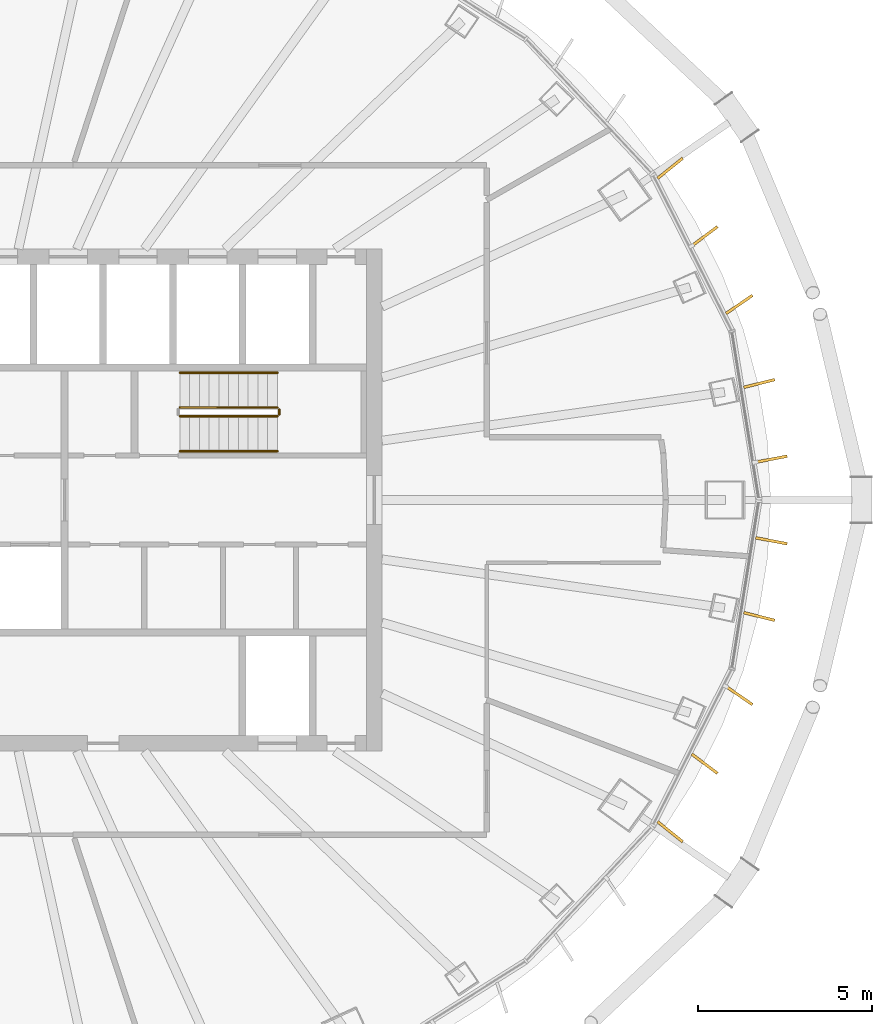
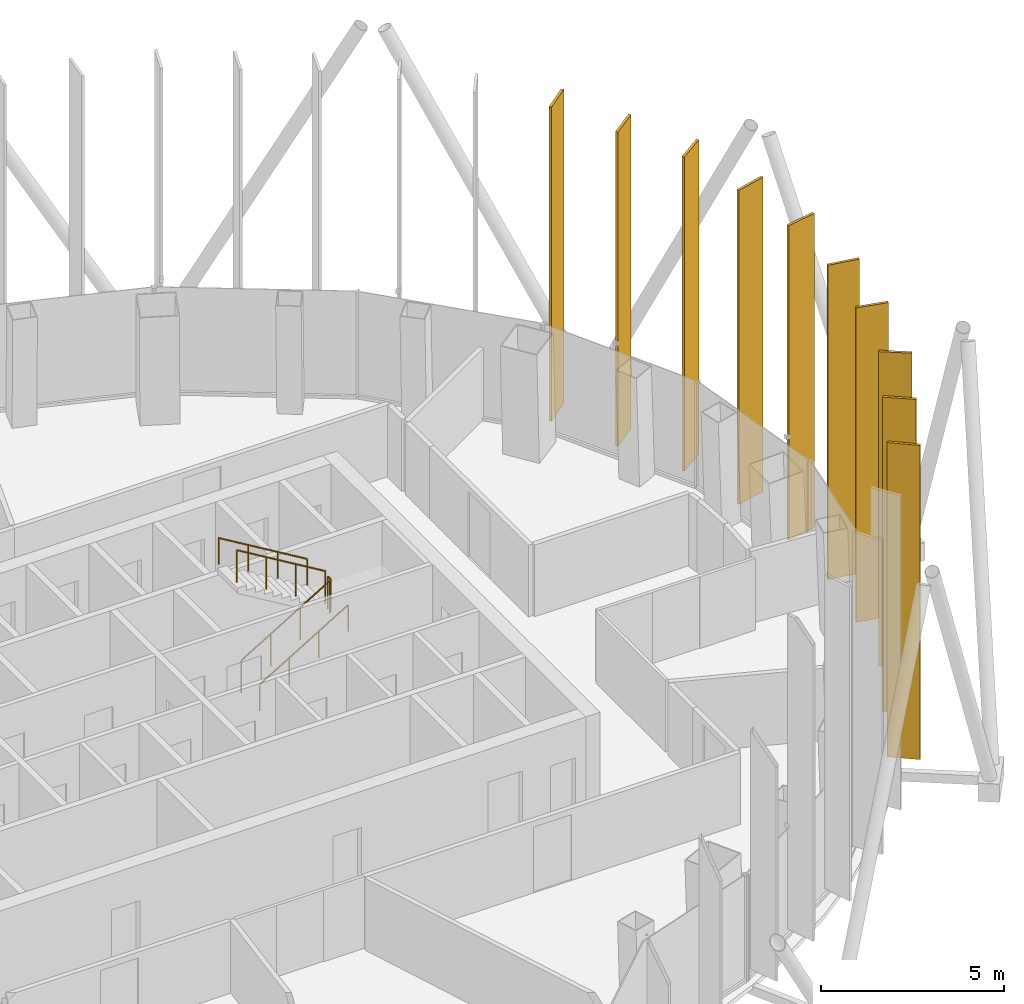
# One storey, part 16 of 17: 10 shading devices, 5 railings.
"""IFC4 building model written with IfcOpenShell, lengths in metres."""

import ifcopenshell
import ifcopenshell.guid

model = None  # the IFC model being written
_history = None  # IfcOwnerHistory: only IFC2X3 demands one
_inside = {}  # id of a spatial element -> (the spatial element, [elements in it])
_under = {}  # id of a project, library or spatial element -> (it, [spatial elements below it])
_declared = {}  # id of a project -> (the project, [libraries it declares])
_typed = {}  # id of a type object -> (the type object, [elements of that type])
_made_of = {}  # id of a material, layer set ... -> (it, [elements and type objects made of it])


def new_model(schema):
    """Start an empty IFC model of exactly this schema.

    Asked for "IFC4X3", IfcOpenShell would pick the latest addendum, in which some entities
    have other attributes; the version numbers below select the first issue.
    IFC2X3 requires an IfcOwnerHistory on every rooted entity: one is made here for all.
    """
    global model, _history
    if schema == "IFC4X3":
        model = ifcopenshell.file(schema_version=(4, 3, 0, 0))
    else:
        model = ifcopenshell.file(schema=schema)
    _inside.clear()
    _under.clear()
    _declared.clear()
    _typed.clear()
    _made_of.clear()
    _history = None
    if model.schema == "IFC2X3":
        org = make("IfcOrganization", Name="unknown")
        user = make(
            "IfcPersonAndOrganization",
            ThePerson=make("IfcPerson", FamilyName="unknown"),
            TheOrganization=org,
        )
        app = make(
            "IfcApplication",
            ApplicationDeveloper=org,
            Version="unknown",
            ApplicationFullName="unknown",
            ApplicationIdentifier="unknown",
        )
        _history = make(
            "IfcOwnerHistory",
            OwningUser=user,
            OwningApplication=app,
            ChangeAction="ADDED",
            CreationDate=0,
        )
    return model


def make(cls, **values):
    """One entity of the class cls with the attributes given. An attribute that is None is left unset."""
    return model.create_entity(
        cls, **{name: value for name, value in values.items() if value is not None}
    )


def rooted(cls, **values):
    """An entity with a GlobalId (a new one), such as an element, a storey or a relation."""
    return make(cls, GlobalId=ifcopenshell.guid.new(), OwnerHistory=_history, **values)


def si_unit(unit_type, name, prefix=None):
    """IfcSIUnit, for example si_unit("LENGTHUNIT", "METRE", prefix="MILLI")."""
    return make("IfcSIUnit", UnitType=unit_type, Prefix=prefix, Name=name)


def assignment(units):
    """IfcUnitAssignment: the units of a project."""
    return None if units is None else make("IfcUnitAssignment", Units=units)


def point(xyz):
    """IfcCartesianPoint."""
    return None if xyz is None else make("IfcCartesianPoint", Coordinates=xyz)


def direction(xyz):
    """IfcDirection."""
    return None if xyz is None else make("IfcDirection", DirectionRatios=xyz)


def frame(location, z_axis=None, x_axis=None):
    """IfcAxis2Placement3D, a coordinate frame: its origin and axes. An axis left out is left unset."""
    return make(
        "IfcAxis2Placement3D",
        Location=point(location),
        Axis=direction(z_axis),
        RefDirection=direction(x_axis),
    )


def frame_2d(location, x_axis=None):
    """IfcAxis2Placement2D, a coordinate frame in the plane: its origin and x axis."""
    return make(
        "IfcAxis2Placement2D", Location=point(location), RefDirection=direction(x_axis)
    )


def origin():
    """The frame at (0, 0, 0) with its axes left unset."""
    return frame((0.0, 0.0, 0.0))


def origin_2d():
    """The frame at (0, 0) in the plane with its x axis left unset."""
    return frame_2d((0.0, 0.0))


def place(relative_to, where):
    """IfcLocalPlacement: puts the frame where relative to a parent placement (None: the world)."""
    return make(
        "IfcLocalPlacement", PlacementRelTo=relative_to, RelativePlacement=where
    )


def context(
    kind, dimensions, precision=None, world=None, true_north=None, identifier=None
):
    """IfcGeometricRepresentationContext, for example the 3D "Model" context."""
    return make(
        "IfcGeometricRepresentationContext",
        ContextIdentifier=identifier,
        ContextType=kind,
        CoordinateSpaceDimension=dimensions,
        Precision=precision,
        WorldCoordinateSystem=world,
        TrueNorth=true_north,
    )


def subcontext(parent, identifier, kind, view, scale=None):
    """IfcGeometricRepresentationSubContext, for example "Body" below "Model"."""
    return make(
        "IfcGeometricRepresentationSubContext",
        ContextIdentifier=identifier,
        ContextType=kind,
        ParentContext=parent,
        TargetScale=scale,
        TargetView=view,
    )


def project(units=None, contexts=None):
    """IfcProject with its units and contexts."""
    return rooted(
        "IfcProject",
        Name="project",
        RepresentationContexts=contexts,
        UnitsInContext=assignment(units),
    )


def spatial(cls, under=None, at=None, **own):
    """A site, building, storey or space (cls), placed at a placement, below another one or the project."""
    s = rooted(cls, ObjectPlacement=at, **own)
    if under is not None:
        _under.setdefault(under.id(), (under, []))[1].append(s)
    return s


def profile(cls, at=None, kind="AREA", **sizes):
    """A parametric profile (cls). Its sizes go by their IFC names, for example OverallWidth=200.0."""
    return make(cls, ProfileType=kind, Position=at, **sizes)


def rectangle(**sizes):
    """IfcRectangleProfileDef."""
    return profile("IfcRectangleProfileDef", **sizes)


def circle(**sizes):
    """IfcCircleProfileDef."""
    return profile("IfcCircleProfileDef", **sizes)


def extrude(swept, where, along, depth):
    """IfcExtrudedAreaSolid: the profile swept, set in the frame where, extruded along a direction by depth."""
    return make(
        "IfcExtrudedAreaSolid",
        SweptArea=swept,
        Position=where,
        ExtrudedDirection=direction(along),
        Depth=depth,
    )


def shape(context_of_items, identifier, shape_type, items):
    """IfcShapeRepresentation: the items that make up one representation, for example the "Body"."""
    return make(
        "IfcShapeRepresentation",
        ContextOfItems=context_of_items,
        RepresentationIdentifier=identifier,
        RepresentationType=shape_type,
        Items=items,
    )


def material(Name=None, Category=None):
    """IfcMaterial."""
    return make("IfcMaterial", Name=Name, Category=Category)


def layer(
    of_material, thickness, ventilated=None, Name=None, Category=None, Priority=None
):
    """IfcMaterialLayer: one layer of a wall or slab, of a material (None: an air gap)."""
    return make(
        "IfcMaterialLayer",
        Material=of_material,
        LayerThickness=thickness,
        IsVentilated=ventilated,
        Name=Name,
        Category=Category,
        Priority=Priority,
    )


def layer_set(layers, Name=None):
    """IfcMaterialLayerSet."""
    return make("IfcMaterialLayerSet", MaterialLayers=layers, LayerSetName=Name)


def made_of(thing, what):
    """Note that an element or type object is made of a material, layer set ...; save() writes the relation."""
    if what is not None:
        _made_of.setdefault(what.id(), (what, []))[1].append(thing)
    return thing


def type_object(cls, material=None, **own):
    """A type object (cls), such as IfcWallType, which elements share."""
    return made_of(rooted(cls, **own), material)


def element(
    cls,
    number,
    at=None,
    inside=None,
    cuts=None,
    type_object=None,
    material=None,
    context=None,
    identifier="Body",
    shape_type=None,
    held_by="IfcProductDefinitionShape",
    body=None,
    shapes=None,
    **own,
):
    """One element of the class cls, such as IfcWall. Its Tag is "e" and its number.

    at: its placement. inside: the storey or other place that contains it. cuts: it is an
    opening in that element (IfcRelVoidsElement). A single representation is given by context,
    identifier, shape_type and body (its items); several are given by shapes. held_by: the class
    of the entity that holds the representations. save() writes the other relations.
    """
    e = rooted(cls, Tag="e%d" % number, ObjectPlacement=at, **own)
    if body is not None:
        shapes = [shape(context, identifier, shape_type, body)]
    if shapes is not None:
        e.Representation = make(held_by, Representations=shapes)
    if inside is not None:
        _inside.setdefault(inside.id(), (inside, []))[1].append(e)
    if cuts is not None:
        rooted(
            "IfcRelVoidsElement", RelatingBuildingElement=cuts, RelatedOpeningElement=e
        )
    if type_object is not None:
        _typed.setdefault(type_object.id(), (type_object, []))[1].append(e)
    return made_of(e, material)


def aggregate(whole, parts):
    """IfcRelAggregates: a whole, such as a stair, and the parts it consists of."""
    return rooted("IfcRelAggregates", RelatingObject=whole, RelatedObjects=parts)


def save(model, path):
    """Write the relations noted so far, then the file.

    IfcRelAggregates (storeys below a building ...), IfcRelContainedInSpatialStructure (elements
    in a storey), IfcRelDefinesByType, IfcRelAssociatesMaterial and IfcRelDeclares: one each for
    every whole, place, type object, material and project.
    """
    for whole, parts in _under.values():
        aggregate(whole, parts)
    for where, things in _inside.values():
        rooted(
            "IfcRelContainedInSpatialStructure",
            RelatedElements=things,
            RelatingStructure=where,
        )
    for kind, things in _typed.values():
        rooted("IfcRelDefinesByType", RelatedObjects=things, RelatingType=kind)
    for what, things in _made_of.values():
        rooted("IfcRelAssociatesMaterial", RelatedObjects=things, RelatingMaterial=what)
    for by, libraries in _declared.values():
        rooted("IfcRelDeclares", RelatingContext=by, RelatedDefinitions=libraries)
    model.write(path)


model = new_model("IFC4")

# Units and contexts
model_context = context("Model", 3, precision=1e-05, world=origin(), true_north=direction((0.0, 1.0)))
body_context = subcontext(model_context, "Body", "Model", "MODEL_VIEW")
ifc_project = project(units=[si_unit("LENGTHUNIT", "METRE"), si_unit("AREAUNIT", "SQUARE_METRE"), si_unit("VOLUMEUNIT", "CUBIC_METRE"), si_unit("PLANEANGLEUNIT", "RADIAN"), si_unit("MASSUNIT", "GRAM", prefix="KILO")], contexts=[model_context])

# Site, building, storey
site_placement = place(None, origin())
site = spatial("IfcSite", under=ifc_project, at=site_placement, CompositionType="ELEMENT")
building_placement = place(site_placement, origin())
building = spatial("IfcBuilding", under=site, at=building_placement, Name="Siaravel Broadcast Tower", CompositionType="ELEMENT")
storey_placement = place(building_placement, frame((0.0, 0.0, 190.39990234375)))
storey = spatial("IfcBuildingStorey", under=building, at=storey_placement, Name="L46", CompositionType="ELEMENT", Elevation=190.39990234375)

# Shading devices
ifc_material_1 = material(Name="Bronze anodised aluminium", Category="aluminium")
ifc_layer = layer(ifc_material_1, 0.080078125)
ifc_layer_set = layer_set([ifc_layer], Name="Bronze anodised aluminium")
shading_device_type = type_object("IfcShadingDeviceType", Name="Bronze fin zone 3", PredefinedType="USERDEFINED", material=ifc_layer_set)
for number, where, z_axis, x_axis, name in (
    (1, (23.1669921875, 1.17041015625, 0.300048828125), (0.0, 0.0, 1.0), (0.982468298, 0.186429727, 0.0), "Bronze fin L46-01"),
    (2, (22.81689453125, 3.340087890625, 0.300048828125), (0.0, 0.0, 1.0), (0.970653137, 0.240483861, 0.0), "Bronze fin L46-02"),
    (3, (22.242919921875, 5.607421875, 0.300048828125), (0.0, 0.0, 1.0), (0.824340648, 0.56609407, 0.0), "Bronze fin L46-03"),
    (4, (21.251220703125, 7.561767578125, 0.300048828125), (0.0, 0.0, 1.0), (0.799597672, 0.600536063, 0.0), "Bronze fin L46-04"),
    (5, (20.26171875, 9.51220703125, 0.300048828125), (0.0, 0.0, 1.0), (0.779085273, 0.626917967, 0.0), "Bronze fin L46-05"),
    (6, (20.26171875, -9.51220703125, 0.300048828125), (0.0, 0.0, 1.0), (0.779085273, -0.626917967, 0.0), "Bronze fin L46-56"),
    (7, (21.251220703125, -7.561767578125, 0.300048828125), (0.0, 0.0, 1.0), (0.799597672, -0.600536063, 0.0), "Bronze fin L46-57"),
    (8, (22.242919921875, -5.607421875, 0.300048828125), (0.0, 0.0, 1.0), (0.824340648, -0.56609407, 0.0), "Bronze fin L46-58"),
    (9, (22.81689453125, -3.340087890625, 0.300048828125), (0.0, 0.0, 1.0), (0.970653137, -0.240483861, 0.0), "Bronze fin L46-59"),
    (10, (23.1669921875, -1.17041015625, 0.300048828125), (0.0, 0.0, 1.0), (0.982468298, -0.186429727, 0.0), "Bronze fin L46-60"),
):
    element("IfcShadingDevice", number, at=place(storey_placement, frame(where, z_axis=z_axis, x_axis=x_axis)), inside=storey, type_object=shading_device_type, Name=name, ObjectType="FIN", PredefinedType="USERDEFINED", context=body_context, shape_type="SweptSolid", body=[
        extrude(rectangle(XDim=0.919921875, YDim=0.080078125, at=origin_2d()), origin(), (0.0, 0.0, 1.0), 10.5),
    ])

# Railings
ifc_material_2 = material(Name="Stainless steel 316L", Category="steel")
railing_type_1 = type_object("IfcRailingType", Name="Stair guard 1100", PredefinedType="GUARDRAIL", material=ifc_material_2)
railing_1_placement = place(storey_placement, frame((6.199951171875, 2.39990234375, 0.168212890625)))
element("IfcRailing", 11, at=railing_1_placement, inside=storey, type_object=railing_type_1, Name="L46 ST-2 stair guard 1", PredefinedType="GUARDRAIL", context=body_context, shape_type="SweptSolid", body=[
    extrude(circle(Radius=0.02392578125, at=origin_2d()), frame((0.0, 0.0, 1.076171875), z_axis=(0.857242211, 0.0, 0.514913383), x_axis=(0.0, 1.0, 0.0)), (0.0, 0.0, 1.0), 3.266357421875),
    extrude(circle(Radius=0.02099609375, at=origin_2d()), origin(), (0.0, 0.0, 1.0), 1.052001953125),
    extrude(circle(Radius=0.02099609375, at=origin_2d()), frame((0.933349609375, 0.0, 0.560546875)), (0.0, 0.0, 1.0), 1.052001953125),
    extrude(circle(Radius=0.02099609375, at=origin_2d()), frame((1.86669921875, 0.0, 1.121337890625)), (0.0, 0.0, 1.0), 1.052001953125),
    extrude(circle(Radius=0.02099609375, at=origin_2d()), frame((2.800048828125, 0.0, 1.681884765625)), (0.0, 0.0, 1.0), 1.052001953125),
])
railing_2_placement = place(storey_placement, frame((9.050048828125, 2.449951171875, 1.85009765625)))
element("IfcRailing", 12, at=railing_2_placement, inside=storey, type_object=railing_type_1, Name="L46 ST-2 stair guard 2", PredefinedType="GUARDRAIL", context=body_context, shape_type="SweptSolid", body=[
    extrude(circle(Radius=0.02392578125, at=origin_2d()), frame((0.0, 0.0, 1.076171875), z_axis=(0.0, 1.0, 0.0), x_axis=(-1.0, 0.0, 0.0)), (0.0, 0.0, 1.0), 0.150146484375),
    extrude(circle(Radius=0.02099609375, at=origin_2d()), origin(), (0.0, 0.0, 1.0), 1.052001953125),
    extrude(circle(Radius=0.02099609375, at=origin_2d()), frame((0.0, 0.150146484375, 0.0)), (0.0, 0.0, 1.0), 1.052001953125),
])
railing_3_placement = place(storey_placement, frame((9.0, 2.64990234375, 2.018310546875)))
element("IfcRailing", 13, at=railing_3_placement, inside=storey, type_object=railing_type_1, Name="L46 ST-2 stair guard 3", PredefinedType="GUARDRAIL", context=body_context, shape_type="SweptSolid", body=[
    extrude(circle(Radius=0.02392578125, at=origin_2d()), frame((0.0, 0.0, 1.076171875), z_axis=(-0.857242211, 0.0, 0.514913383), x_axis=(0.0, -1.0, 0.0)), (0.0, 0.0, 1.0), 3.266357421875),
    extrude(circle(Radius=0.02099609375, at=origin_2d()), origin(), (0.0, 0.0, 1.0), 1.052001953125),
    extrude(circle(Radius=0.02099609375, at=origin_2d()), frame((-0.933349609375, 0.0, 0.560546875)), (0.0, 0.0, 1.0), 1.052001953125),
    extrude(circle(Radius=0.02099609375, at=origin_2d()), frame((-1.86669921875, 0.0, 1.121337890625)), (0.0, 0.0, 1.0), 1.052001953125),
    extrude(circle(Radius=0.02099609375, at=origin_2d()), frame((-2.800048828125, 0.0, 1.681884765625)), (0.0, 0.0, 1.0), 1.052001953125),
])
railing_type_2 = type_object("IfcRailingType", Name="Stair handrail 900", PredefinedType="HANDRAIL", material=ifc_material_2)
railing_4_placement = place(storey_placement, frame((6.199951171875, 1.39990234375, 0.168212890625)))
element("IfcRailing", 14, at=railing_4_placement, inside=storey, type_object=railing_type_2, Name="L46 ST-2 stair handrail 1", PredefinedType="HANDRAIL", context=body_context, shape_type="SweptSolid", body=[
    extrude(circle(Radius=0.02392578125, at=origin_2d()), frame((0.0, 0.0, 0.8759765625), z_axis=(0.857242211, 0.0, 0.514913383), x_axis=(0.0, 1.0, 0.0)), (0.0, 0.0, 1.0), 3.266357421875),
    extrude(circle(Radius=0.02099609375, at=origin_2d()), origin(), (0.0, 0.0, 1.0), 0.851806640625),
    extrude(circle(Radius=0.02099609375, at=origin_2d()), frame((0.933349609375, 0.0, 0.560546875)), (0.0, 0.0, 1.0), 0.851806640625),
    extrude(circle(Radius=0.02099609375, at=origin_2d()), frame((1.86669921875, 0.0, 1.121337890625)), (0.0, 0.0, 1.0), 0.851806640625),
    extrude(circle(Radius=0.02099609375, at=origin_2d()), frame((2.800048828125, 0.0, 1.681884765625)), (0.0, 0.0, 1.0), 0.851806640625),
])
railing_5_placement = place(storey_placement, frame((9.0, 3.64990234375, 2.018310546875)))
element("IfcRailing", 15, at=railing_5_placement, inside=storey, type_object=railing_type_2, Name="L46 ST-2 stair handrail 2", PredefinedType="HANDRAIL", context=body_context, shape_type="SweptSolid", body=[
    extrude(circle(Radius=0.02392578125, at=origin_2d()), frame((0.0, 0.0, 0.8759765625), z_axis=(-0.857242211, 0.0, 0.514913383), x_axis=(0.0, -1.0, 0.0)), (0.0, 0.0, 1.0), 3.266357421875),
    extrude(circle(Radius=0.02099609375, at=origin_2d()), origin(), (0.0, 0.0, 1.0), 0.851806640625),
    extrude(circle(Radius=0.02099609375, at=origin_2d()), frame((-0.933349609375, 0.0, 0.560546875)), (0.0, 0.0, 1.0), 0.851806640625),
    extrude(circle(Radius=0.02099609375, at=origin_2d()), frame((-1.86669921875, 0.0, 1.121337890625)), (0.0, 0.0, 1.0), 0.851806640625),
    extrude(circle(Radius=0.02099609375, at=origin_2d()), frame((-2.800048828125, 0.0, 1.681884765625)), (0.0, 0.0, 1.0), 0.851806640625),
])

save(model, "model.ifc")
